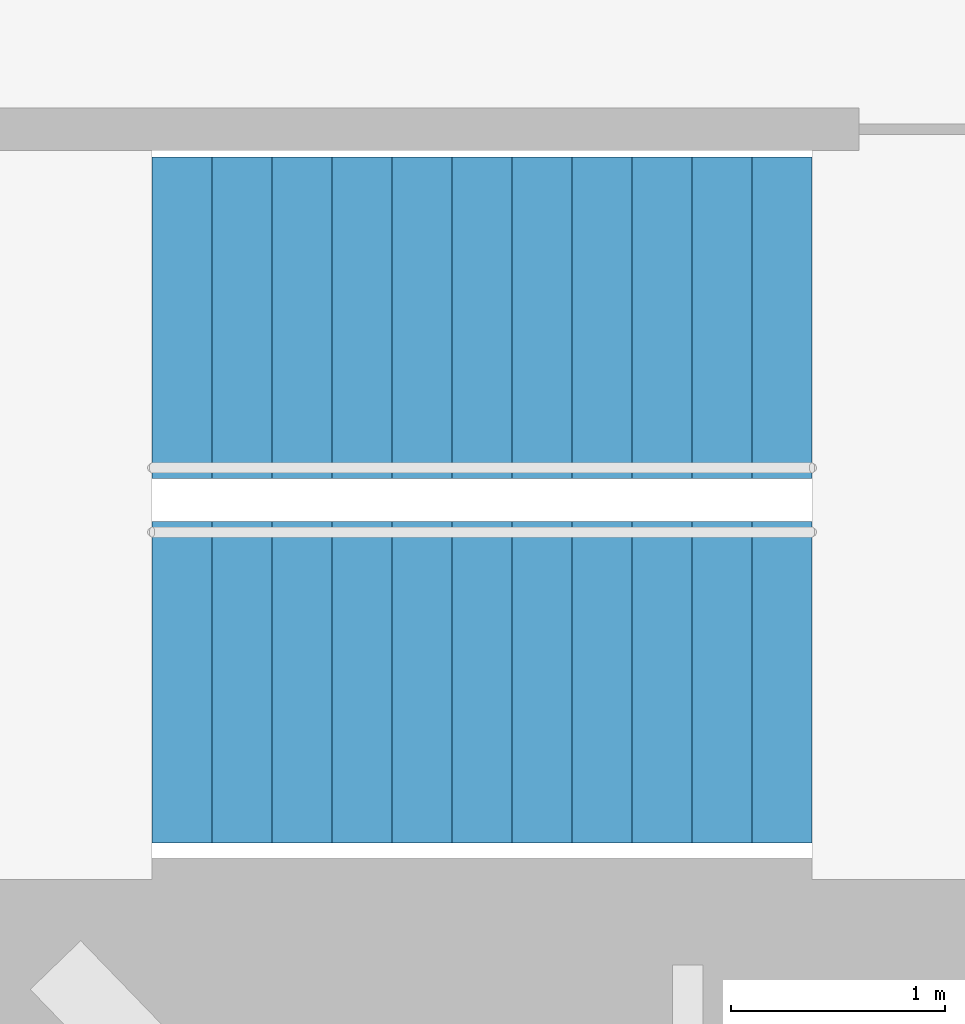
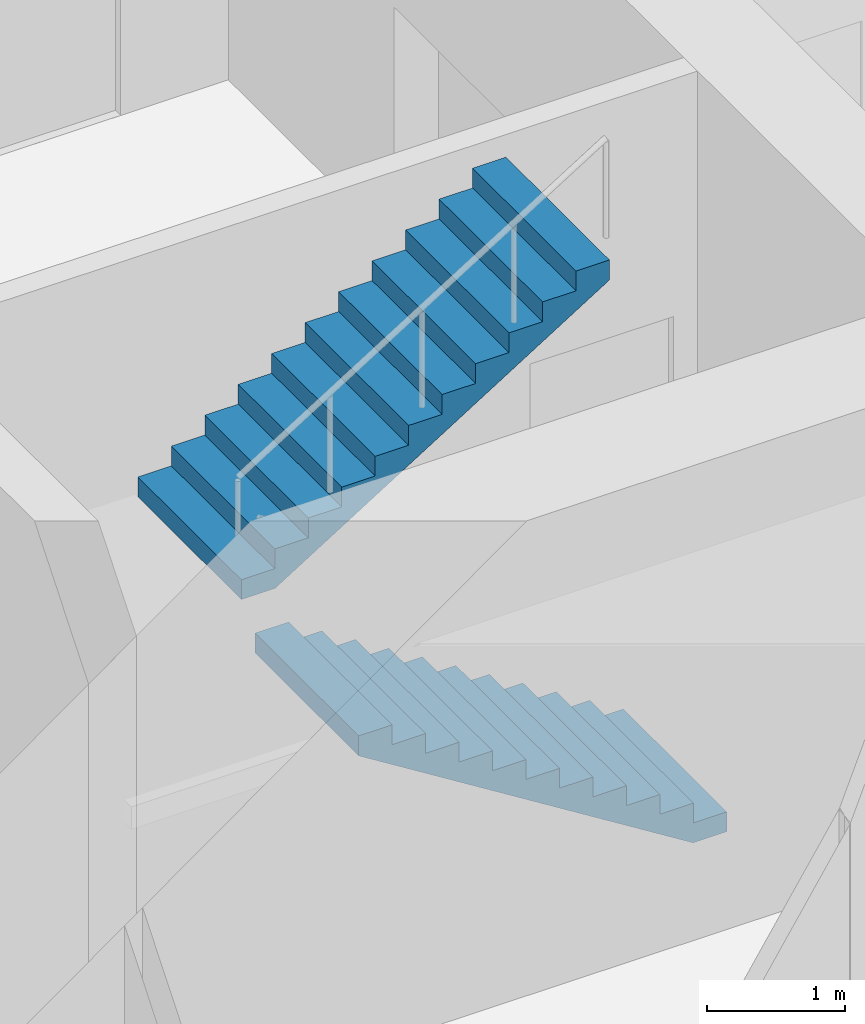
# One storey, part 17 of 18: 2 stair flights, 1 element without a shape of its own.
"""IFC4 building model written with IfcOpenShell, lengths in metres."""

from ifc_helpers import new_model, si_unit, direction, frame, origin, place, context, subcontext, project, spatial, triangles, material, type_object, element, aggregate, save


model = new_model("IFC4")

# Units and contexts
model_context = context("Model", 3, precision=1e-05, world=origin(), true_north=direction((0.0, 1.0)))
body_context = subcontext(model_context, "Body", "Model", "MODEL_VIEW")
ifc_project = project(units=[si_unit("LENGTHUNIT", "METRE"), si_unit("AREAUNIT", "SQUARE_METRE"), si_unit("VOLUMEUNIT", "CUBIC_METRE"), si_unit("PLANEANGLEUNIT", "RADIAN"), si_unit("MASSUNIT", "GRAM", prefix="KILO")], contexts=[model_context])

# Site, building, storey
site_placement = place(None, origin())
site = spatial("IfcSite", under=ifc_project, at=site_placement, CompositionType="ELEMENT")
building_placement = place(site_placement, origin())
building = spatial("IfcBuilding", under=site, at=building_placement, Name="Lantaw Convention Tower", CompositionType="ELEMENT")
storey_placement = place(building_placement, frame((0.0, 0.0, 228.39990234375)))
storey = spatial("IfcBuildingStorey", under=building, at=storey_placement, Name="L53", CompositionType="ELEMENT", Elevation=228.39990234375)

# Stair, stair flights
ifc_material = material(Name="Concrete C35/45", Category="concrete")
stair_type = type_object("IfcStairType", Name="Exit stair 1500 riser 175 in 2 flights", PredefinedType="HALF_TURN_STAIR", material=ifc_material)
stair_placement = place(storey_placement, origin())
stair = element("IfcStair", 1, at=stair_placement, inside=storey, type_object=stair_type, Name="Exit stair S2 L53", PredefinedType="HALF_TURN_STAIR")
stair_flight_type = type_object("IfcStairFlightType", Name="Stair flight 1500 riser 175", PredefinedType="STRAIGHT", material=ifc_material)
stair_flight_1_placement = place(storey_placement, frame((10.580078125, -5.97998046875, 0.0), z_axis=(0.0, 0.0, 1.0), x_axis=(-1.0, 0.0, 0.0)))
stair_flight_1 = element("IfcStairFlight", 2, at=stair_flight_1_placement, type_object=stair_flight_type, Name="S2 flight 1", NumberOfRisers=12, NumberOfTreads=11, PredefinedType="STRAIGHT", RiserHeight=0.175, TreadLength=0.28, context=body_context, shape_type="Tessellation", body=[
    triangles([(0.0, 0.75, 0.0), (0.0, 0.75, 0.175), (0.28, 0.75, 0.0), (0.28, 0.75, 0.175), (0.28, 0.75, 0.35), (0.28283517651771284, 0.75, 0.0), (0.28283517651771284, 0.75, 0.35), (0.56, 0.75, 0.17322801467642948), (0.56, 0.75, 0.35), (0.56, 0.75, 0.5249999999999999), (0.8400000000000001, 0.75, 0.34822801467642944), (0.8400000000000001, 0.75, 0.5249999999999999), (0.8400000000000001, 0.75, 0.7), (1.12, 0.75, 0.5232280146764294), (1.12, 0.75, 0.7), (1.12, 0.75, 0.875), (1.4000000000000001, 0.75, 0.6982280146764295), (1.4000000000000001, 0.75, 0.875), (1.4000000000000001, 0.75, 1.0499999999999998), (1.6800000000000002, 0.75, 0.8732280146764294), (1.6800000000000002, 0.75, 1.0499999999999998), (1.6800000000000002, 0.75, 1.2249999999999999), (1.9600000000000002, 0.75, 1.0482280146764293), (1.9600000000000002, 0.75, 1.2249999999999999), (1.9600000000000002, 0.75, 1.4), (2.24, 0.75, 1.2232280146764294), (2.24, 0.75, 1.4), (2.24, 0.75, 1.575), (2.5200000000000005, 0.75, 1.3982280146764294), (2.5200000000000005, 0.75, 1.575), (2.5200000000000005, 0.75, 1.75), (2.8000000000000003, 0.75, 1.5732280146764293), (2.8000000000000003, 0.75, 1.75), (2.8000000000000003, 0.75, 1.9249999999999998), (3.08, 0.75, 1.7482280146764293), (3.08, 0.75, 1.9249999999999998), (0.0, -0.75, 0.0), (0.0, -0.75, 0.175), (0.28, -0.75, 0.0), (0.28, -0.75, 0.175), (0.28, -0.75, 0.35), (0.28283517651771284, -0.75, 0.0), (0.28283517651771284, -0.75, 0.35), (0.56, -0.75, 0.17322801467642948), (0.56, -0.75, 0.35), (0.56, -0.75, 0.5249999999999999), (0.8400000000000001, -0.75, 0.34822801467642944), (0.8400000000000001, -0.75, 0.5249999999999999), (0.8400000000000001, -0.75, 0.7), (1.12, -0.75, 0.5232280146764294), (1.12, -0.75, 0.7), (1.12, -0.75, 0.875), (1.4000000000000001, -0.75, 0.6982280146764295), (1.4000000000000001, -0.75, 0.875), (1.4000000000000001, -0.75, 1.0499999999999998), (1.6800000000000002, -0.75, 0.8732280146764294), (1.6800000000000002, -0.75, 1.0499999999999998), (1.6800000000000002, -0.75, 1.2249999999999999), (1.9600000000000002, -0.75, 1.0482280146764293), (1.9600000000000002, -0.75, 1.2249999999999999), (1.9600000000000002, -0.75, 1.4), (2.24, -0.75, 1.2232280146764294), (2.24, -0.75, 1.4), (2.24, -0.75, 1.575), (2.5200000000000005, -0.75, 1.3982280146764294), (2.5200000000000005, -0.75, 1.575), (2.5200000000000005, -0.75, 1.75), (2.8000000000000003, -0.75, 1.5732280146764293), (2.8000000000000003, -0.75, 1.75), (2.8000000000000003, -0.75, 1.9249999999999998), (3.08, -0.75, 1.7482280146764293), (3.08, -0.75, 1.9249999999999998), (0.0, 0.15000000000000002, 0.175), (0.0, 0.15000000000000002, 0.0), (0.0, 0.0, 0.175), (0.0, 0.0, 0.0), (0.0, -0.15000000000000002, 0.175), (0.0, -0.15000000000000002, 0.0), (0.28, 0.15000000000000002, 0.35), (0.28, 0.15000000000000002, 0.175), (0.28, 0.0, 0.35), (0.28, 0.0, 0.175), (0.28, -0.15000000000000002, 0.35), (0.28, -0.15000000000000002, 0.175), (0.56, 0.15000000000000002, 0.5249999999999999), (0.56, 0.15000000000000002, 0.35), (0.56, 0.0, 0.5249999999999999), (0.56, 0.0, 0.35), (0.56, -0.15000000000000002, 0.5249999999999999), (0.56, -0.15000000000000002, 0.35), (0.8400000000000001, 0.15000000000000002, 0.7), (0.8400000000000001, 0.15000000000000002, 0.5249999999999999), (0.8400000000000001, 0.0, 0.7), (0.8400000000000001, 0.0, 0.5249999999999999), (0.8400000000000001, -0.15000000000000002, 0.7), (0.8400000000000001, -0.15000000000000002, 0.5249999999999999), (1.12, 0.15000000000000002, 0.875), (1.12, 0.15000000000000002, 0.7), (1.12, 0.0, 0.875), (1.12, 0.0, 0.7), (1.12, -0.15000000000000002, 0.875), (1.12, -0.15000000000000002, 0.7), (1.4000000000000001, 0.15000000000000002, 1.0499999999999998), (1.4000000000000001, 0.15000000000000002, 0.875), (1.4000000000000001, 0.0, 1.0499999999999998), (1.4000000000000001, 0.0, 0.875), (1.4000000000000001, -0.15000000000000002, 1.0499999999999998), (1.4000000000000001, -0.15000000000000002, 0.875), (1.6800000000000002, 0.15000000000000002, 1.2249999999999999), (1.6800000000000002, 0.15000000000000002, 1.0499999999999998), (1.6800000000000002, 0.0, 1.2249999999999999), (1.6800000000000002, 0.0, 1.0499999999999998), (1.6800000000000002, -0.15000000000000002, 1.2249999999999999), (1.6800000000000002, -0.15000000000000002, 1.0499999999999998), (1.9600000000000002, 0.15000000000000002, 1.4), (1.9600000000000002, 0.15000000000000002, 1.2249999999999999), (1.9600000000000002, 0.0, 1.4), (1.9600000000000002, 0.0, 1.2249999999999999), (1.9600000000000002, -0.15000000000000002, 1.4), (1.9600000000000002, -0.15000000000000002, 1.2249999999999999), (2.24, 0.15000000000000002, 1.575), (2.24, 0.15000000000000002, 1.4), (2.24, 0.0, 1.575), (2.24, 0.0, 1.4), (2.24, -0.15000000000000002, 1.575), (2.24, -0.15000000000000002, 1.4), (2.5200000000000005, 0.15000000000000002, 1.75), (2.5200000000000005, 0.15000000000000002, 1.575), (2.5200000000000005, 0.0, 1.75), (2.5200000000000005, 0.0, 1.575), (2.5200000000000005, -0.15000000000000002, 1.75), (2.5200000000000005, -0.15000000000000002, 1.575), (2.8000000000000003, 0.15000000000000002, 1.9249999999999998), (2.8000000000000003, 0.15000000000000002, 1.75), (2.8000000000000003, 0.0, 1.9249999999999998), (2.8000000000000003, 0.0, 1.75), (2.8000000000000003, -0.15000000000000002, 1.9249999999999998), (2.8000000000000003, -0.15000000000000002, 1.75), (0.28283517651771284, 0.15000000000000002, 0.35), (0.28283517651771284, 0.0, 0.35), (0.28283517651771284, -0.15000000000000002, 0.35), (3.08, 0.15000000000000002, 1.9249999999999998), (3.08, 0.0, 1.9249999999999998), (3.08, -0.15000000000000002, 1.9249999999999998), (3.08, 0.15000000000000002, 1.7482280146764293), (3.08, 0.0, 1.7482280146764293), (3.08, -0.15000000000000002, 1.7482280146764293), (2.8000000000000003, 0.15000000000000002, 1.5732280146764293), (2.8000000000000003, 0.0, 1.5732280146764293), (2.8000000000000003, -0.15000000000000002, 1.5732280146764293), (2.5200000000000005, 0.15000000000000002, 1.3982280146764294), (2.5200000000000005, 0.0, 1.3982280146764294), (2.5200000000000005, -0.15000000000000002, 1.3982280146764294), (2.24, 0.15000000000000002, 1.2232280146764294), (2.24, 0.0, 1.2232280146764294), (2.24, -0.15000000000000002, 1.2232280146764294), (1.9600000000000002, 0.15000000000000002, 1.0482280146764293), (1.9600000000000002, 0.0, 1.0482280146764293), (1.9600000000000002, -0.15000000000000002, 1.0482280146764293), (1.6800000000000002, 0.15000000000000002, 0.8732280146764294), (1.6800000000000002, 0.0, 0.8732280146764294), (1.6800000000000002, -0.15000000000000002, 0.8732280146764294), (1.4000000000000001, 0.15000000000000002, 0.6982280146764295), (1.4000000000000001, 0.0, 0.6982280146764295), (1.4000000000000001, -0.15000000000000002, 0.6982280146764295), (1.12, 0.15000000000000002, 0.5232280146764294), (1.12, 0.0, 0.5232280146764294), (1.12, -0.15000000000000002, 0.5232280146764294), (0.8400000000000001, 0.15000000000000002, 0.34822801467642944), (0.8400000000000001, 0.0, 0.34822801467642944), (0.8400000000000001, -0.15000000000000002, 0.34822801467642944), (0.56, 0.15000000000000002, 0.17322801467642948), (0.56, 0.0, 0.17322801467642948), (0.56, -0.15000000000000002, 0.17322801467642948), (0.28283517651771284, 0.15000000000000002, 0.0), (0.28283517651771284, 0.0, 0.0), (0.28283517651771284, -0.15000000000000002, 0.0), (0.28, 0.15000000000000002, 0.0), (0.28, 0.0, 0.0), (0.28, -0.15000000000000002, 0.0)], [[1, 4, 3], [1, 2, 4], [3, 4, 6], [4, 7, 6], [4, 5, 7], [6, 9, 8], [6, 7, 9], [8, 9, 11], [9, 12, 11], [9, 10, 12], [11, 12, 14], [12, 15, 14], [12, 13, 15], [14, 15, 17], [15, 18, 17], [15, 16, 18], [17, 18, 20], [18, 21, 20], [18, 19, 21], [20, 21, 23], [21, 24, 23], [21, 22, 24], [23, 24, 26], [24, 27, 26], [24, 25, 27], [26, 27, 29], [27, 30, 29], [27, 28, 30], [29, 30, 32], [30, 33, 32], [30, 31, 33], [32, 33, 35], [33, 36, 35], [33, 34, 36], [37, 39, 40], [37, 40, 38], [39, 42, 40], [40, 42, 43], [40, 43, 41], [42, 44, 45], [42, 45, 43], [44, 47, 45], [45, 47, 48], [45, 48, 46], [47, 50, 48], [48, 50, 51], [48, 51, 49], [50, 53, 51], [51, 53, 54], [51, 54, 52], [53, 56, 54], [54, 56, 57], [54, 57, 55], [56, 59, 57], [57, 59, 60], [57, 60, 58], [59, 62, 60], [60, 62, 63], [60, 63, 61], [62, 65, 63], [63, 65, 66], [63, 66, 64], [65, 68, 66], [66, 68, 69], [66, 69, 67], [68, 71, 69], [69, 71, 72], [69, 72, 70], [1, 73, 2], [1, 74, 73], [74, 75, 73], [74, 76, 75], [76, 77, 75], [76, 78, 77], [78, 38, 77], [78, 37, 38], [4, 79, 5], [4, 80, 79], [80, 81, 79], [80, 82, 81], [82, 83, 81], [82, 84, 83], [84, 41, 83], [84, 40, 41], [9, 85, 10], [9, 86, 85], [86, 87, 85], [86, 88, 87], [88, 89, 87], [88, 90, 89], [90, 46, 89], [90, 45, 46], [12, 91, 13], [12, 92, 91], [92, 93, 91], [92, 94, 93], [94, 95, 93], [94, 96, 95], [96, 49, 95], [96, 48, 49], [15, 97, 16], [15, 98, 97], [98, 99, 97], [98, 100, 99], [100, 101, 99], [100, 102, 101], [102, 52, 101], [102, 51, 52], [18, 103, 19], [18, 104, 103], [104, 105, 103], [104, 106, 105], [106, 107, 105], [106, 108, 107], [108, 55, 107], [108, 54, 55], [21, 109, 22], [21, 110, 109], [110, 111, 109], [110, 112, 111], [112, 113, 111], [112, 114, 113], [114, 58, 113], [114, 57, 58], [24, 115, 25], [24, 116, 115], [116, 117, 115], [116, 118, 117], [118, 119, 117], [118, 120, 119], [120, 61, 119], [120, 60, 61], [27, 121, 28], [27, 122, 121], [122, 123, 121], [122, 124, 123], [124, 125, 123], [124, 126, 125], [126, 64, 125], [126, 63, 64], [30, 127, 31], [30, 128, 127], [128, 129, 127], [128, 130, 129], [130, 131, 129], [130, 132, 131], [132, 67, 131], [132, 66, 67], [33, 133, 34], [33, 134, 133], [134, 135, 133], [134, 136, 135], [136, 137, 135], [136, 138, 137], [138, 70, 137], [138, 69, 70], [2, 80, 4], [2, 73, 80], [73, 82, 80], [73, 75, 82], [75, 84, 82], [75, 77, 84], [77, 40, 84], [77, 38, 40], [5, 139, 7], [5, 79, 139], [79, 140, 139], [79, 81, 140], [81, 141, 140], [81, 83, 141], [83, 43, 141], [83, 41, 43], [7, 86, 9], [7, 139, 86], [139, 88, 86], [139, 140, 88], [140, 90, 88], [140, 141, 90], [141, 45, 90], [141, 43, 45], [10, 92, 12], [10, 85, 92], [85, 94, 92], [85, 87, 94], [87, 96, 94], [87, 89, 96], [89, 48, 96], [89, 46, 48], [13, 98, 15], [13, 91, 98], [91, 100, 98], [91, 93, 100], [93, 102, 100], [93, 95, 102], [95, 51, 102], [95, 49, 51], [16, 104, 18], [16, 97, 104], [97, 106, 104], [97, 99, 106], [99, 108, 106], [99, 101, 108], [101, 54, 108], [101, 52, 54], [19, 110, 21], [19, 103, 110], [103, 112, 110], [103, 105, 112], [105, 114, 112], [105, 107, 114], [107, 57, 114], [107, 55, 57], [22, 116, 24], [22, 109, 116], [109, 118, 116], [109, 111, 118], [111, 120, 118], [111, 113, 120], [113, 60, 120], [113, 58, 60], [25, 122, 27], [25, 115, 122], [115, 124, 122], [115, 117, 124], [117, 126, 124], [117, 119, 126], [119, 63, 126], [119, 61, 63], [28, 128, 30], [28, 121, 128], [121, 130, 128], [121, 123, 130], [123, 132, 130], [123, 125, 132], [125, 66, 132], [125, 64, 66], [31, 134, 33], [31, 127, 134], [127, 136, 134], [127, 129, 136], [129, 138, 136], [129, 131, 138], [131, 69, 138], [131, 67, 69], [34, 142, 36], [34, 133, 142], [133, 143, 142], [133, 135, 143], [135, 144, 143], [135, 137, 144], [137, 72, 144], [137, 70, 72], [36, 145, 35], [36, 142, 145], [142, 146, 145], [142, 143, 146], [143, 147, 146], [143, 144, 147], [144, 71, 147], [144, 72, 71], [35, 148, 32], [35, 145, 148], [145, 149, 148], [145, 146, 149], [146, 150, 149], [146, 147, 150], [147, 68, 150], [147, 71, 68], [32, 151, 29], [32, 148, 151], [148, 152, 151], [148, 149, 152], [149, 153, 152], [149, 150, 153], [150, 65, 153], [150, 68, 65], [29, 154, 26], [29, 151, 154], [151, 155, 154], [151, 152, 155], [152, 156, 155], [152, 153, 156], [153, 62, 156], [153, 65, 62], [26, 157, 23], [26, 154, 157], [154, 158, 157], [154, 155, 158], [155, 159, 158], [155, 156, 159], [156, 59, 159], [156, 62, 59], [23, 160, 20], [23, 157, 160], [157, 161, 160], [157, 158, 161], [158, 162, 161], [158, 159, 162], [159, 56, 162], [159, 59, 56], [20, 163, 17], [20, 160, 163], [160, 164, 163], [160, 161, 164], [161, 165, 164], [161, 162, 165], [162, 53, 165], [162, 56, 53], [17, 166, 14], [17, 163, 166], [163, 167, 166], [163, 164, 167], [164, 168, 167], [164, 165, 168], [165, 50, 168], [165, 53, 50], [14, 169, 11], [14, 166, 169], [166, 170, 169], [166, 167, 170], [167, 171, 170], [167, 168, 171], [168, 47, 171], [168, 50, 47], [11, 172, 8], [11, 169, 172], [169, 173, 172], [169, 170, 173], [170, 174, 173], [170, 171, 174], [171, 44, 174], [171, 47, 44], [8, 175, 6], [8, 172, 175], [172, 176, 175], [172, 173, 176], [173, 177, 176], [173, 174, 177], [174, 42, 177], [174, 44, 42], [6, 178, 3], [6, 175, 178], [175, 179, 178], [175, 176, 179], [176, 180, 179], [176, 177, 180], [177, 39, 180], [177, 42, 39], [3, 74, 1], [3, 178, 74], [178, 76, 74], [178, 179, 76], [179, 78, 76], [179, 180, 78], [180, 37, 78], [180, 39, 37]], closed=True),
])
stair_flight_2_placement = place(storey_placement, frame((7.5, -4.280029296875, 2.10009765625), z_axis=(0.0, 0.0, 1.0), x_axis=(1.0, 0.0, 0.0)))
stair_flight_2 = element("IfcStairFlight", 3, at=stair_flight_2_placement, type_object=stair_flight_type, Name="S2 flight 2", NumberOfRisers=12, NumberOfTreads=11, PredefinedType="STRAIGHT", RiserHeight=0.175, TreadLength=0.28, context=body_context, shape_type="Tessellation", body=[
    triangles([(0.0, 0.75, 0.0), (0.0, 0.75, 0.175), (0.28, 0.75, 0.0), (0.28, 0.75, 0.175), (0.28, 0.75, 0.35), (0.28283517651771284, 0.75, 0.0), (0.28283517651771284, 0.75, 0.35), (0.56, 0.75, 0.17322801467642948), (0.56, 0.75, 0.35), (0.56, 0.75, 0.5249999999999999), (0.8400000000000001, 0.75, 0.34822801467642944), (0.8400000000000001, 0.75, 0.5249999999999999), (0.8400000000000001, 0.75, 0.7), (1.12, 0.75, 0.5232280146764294), (1.12, 0.75, 0.7), (1.12, 0.75, 0.875), (1.4000000000000001, 0.75, 0.6982280146764295), (1.4000000000000001, 0.75, 0.875), (1.4000000000000001, 0.75, 1.0499999999999998), (1.6800000000000002, 0.75, 0.8732280146764294), (1.6800000000000002, 0.75, 1.0499999999999998), (1.6800000000000002, 0.75, 1.2249999999999999), (1.9600000000000002, 0.75, 1.0482280146764293), (1.9600000000000002, 0.75, 1.2249999999999999), (1.9600000000000002, 0.75, 1.4), (2.24, 0.75, 1.2232280146764294), (2.24, 0.75, 1.4), (2.24, 0.75, 1.575), (2.5200000000000005, 0.75, 1.3982280146764294), (2.5200000000000005, 0.75, 1.575), (2.5200000000000005, 0.75, 1.75), (2.8000000000000003, 0.75, 1.5732280146764293), (2.8000000000000003, 0.75, 1.75), (2.8000000000000003, 0.75, 1.9249999999999998), (3.08, 0.75, 1.7482280146764293), (3.08, 0.75, 1.9249999999999998), (0.0, -0.75, 0.0), (0.0, -0.75, 0.175), (0.28, -0.75, 0.0), (0.28, -0.75, 0.175), (0.28, -0.75, 0.35), (0.28283517651771284, -0.75, 0.0), (0.28283517651771284, -0.75, 0.35), (0.56, -0.75, 0.17322801467642948), (0.56, -0.75, 0.35), (0.56, -0.75, 0.5249999999999999), (0.8400000000000001, -0.75, 0.34822801467642944), (0.8400000000000001, -0.75, 0.5249999999999999), (0.8400000000000001, -0.75, 0.7), (1.12, -0.75, 0.5232280146764294), (1.12, -0.75, 0.7), (1.12, -0.75, 0.875), (1.4000000000000001, -0.75, 0.6982280146764295), (1.4000000000000001, -0.75, 0.875), (1.4000000000000001, -0.75, 1.0499999999999998), (1.6800000000000002, -0.75, 0.8732280146764294), (1.6800000000000002, -0.75, 1.0499999999999998), (1.6800000000000002, -0.75, 1.2249999999999999), (1.9600000000000002, -0.75, 1.0482280146764293), (1.9600000000000002, -0.75, 1.2249999999999999), (1.9600000000000002, -0.75, 1.4), (2.24, -0.75, 1.2232280146764294), (2.24, -0.75, 1.4), (2.24, -0.75, 1.575), (2.5200000000000005, -0.75, 1.3982280146764294), (2.5200000000000005, -0.75, 1.575), (2.5200000000000005, -0.75, 1.75), (2.8000000000000003, -0.75, 1.5732280146764293), (2.8000000000000003, -0.75, 1.75), (2.8000000000000003, -0.75, 1.9249999999999998), (3.08, -0.75, 1.7482280146764293), (3.08, -0.75, 1.9249999999999998), (0.0, 0.15000000000000002, 0.175), (0.0, 0.15000000000000002, 0.0), (0.0, 0.0, 0.175), (0.0, 0.0, 0.0), (0.0, -0.15000000000000002, 0.175), (0.0, -0.15000000000000002, 0.0), (0.28, 0.15000000000000002, 0.35), (0.28, 0.15000000000000002, 0.175), (0.28, 0.0, 0.35), (0.28, 0.0, 0.175), (0.28, -0.15000000000000002, 0.35), (0.28, -0.15000000000000002, 0.175), (0.56, 0.15000000000000002, 0.5249999999999999), (0.56, 0.15000000000000002, 0.35), (0.56, 0.0, 0.5249999999999999), (0.56, 0.0, 0.35), (0.56, -0.15000000000000002, 0.5249999999999999), (0.56, -0.15000000000000002, 0.35), (0.8400000000000001, 0.15000000000000002, 0.7), (0.8400000000000001, 0.15000000000000002, 0.5249999999999999), (0.8400000000000001, 0.0, 0.7), (0.8400000000000001, 0.0, 0.5249999999999999), (0.8400000000000001, -0.15000000000000002, 0.7), (0.8400000000000001, -0.15000000000000002, 0.5249999999999999), (1.12, 0.15000000000000002, 0.875), (1.12, 0.15000000000000002, 0.7), (1.12, 0.0, 0.875), (1.12, 0.0, 0.7), (1.12, -0.15000000000000002, 0.875), (1.12, -0.15000000000000002, 0.7), (1.4000000000000001, 0.15000000000000002, 1.0499999999999998), (1.4000000000000001, 0.15000000000000002, 0.875), (1.4000000000000001, 0.0, 1.0499999999999998), (1.4000000000000001, 0.0, 0.875), (1.4000000000000001, -0.15000000000000002, 1.0499999999999998), (1.4000000000000001, -0.15000000000000002, 0.875), (1.6800000000000002, 0.15000000000000002, 1.2249999999999999), (1.6800000000000002, 0.15000000000000002, 1.0499999999999998), (1.6800000000000002, 0.0, 1.2249999999999999), (1.6800000000000002, 0.0, 1.0499999999999998), (1.6800000000000002, -0.15000000000000002, 1.2249999999999999), (1.6800000000000002, -0.15000000000000002, 1.0499999999999998), (1.9600000000000002, 0.15000000000000002, 1.4), (1.9600000000000002, 0.15000000000000002, 1.2249999999999999), (1.9600000000000002, 0.0, 1.4), (1.9600000000000002, 0.0, 1.2249999999999999), (1.9600000000000002, -0.15000000000000002, 1.4), (1.9600000000000002, -0.15000000000000002, 1.2249999999999999), (2.24, 0.15000000000000002, 1.575), (2.24, 0.15000000000000002, 1.4), (2.24, 0.0, 1.575), (2.24, 0.0, 1.4), (2.24, -0.15000000000000002, 1.575), (2.24, -0.15000000000000002, 1.4), (2.5200000000000005, 0.15000000000000002, 1.75), (2.5200000000000005, 0.15000000000000002, 1.575), (2.5200000000000005, 0.0, 1.75), (2.5200000000000005, 0.0, 1.575), (2.5200000000000005, -0.15000000000000002, 1.75), (2.5200000000000005, -0.15000000000000002, 1.575), (2.8000000000000003, 0.15000000000000002, 1.9249999999999998), (2.8000000000000003, 0.15000000000000002, 1.75), (2.8000000000000003, 0.0, 1.9249999999999998), (2.8000000000000003, 0.0, 1.75), (2.8000000000000003, -0.15000000000000002, 1.9249999999999998), (2.8000000000000003, -0.15000000000000002, 1.75), (0.28283517651771284, 0.15000000000000002, 0.35), (0.28283517651771284, 0.0, 0.35), (0.28283517651771284, -0.15000000000000002, 0.35), (3.08, 0.15000000000000002, 1.9249999999999998), (3.08, 0.0, 1.9249999999999998), (3.08, -0.15000000000000002, 1.9249999999999998), (3.08, 0.15000000000000002, 1.7482280146764293), (3.08, 0.0, 1.7482280146764293), (3.08, -0.15000000000000002, 1.7482280146764293), (2.8000000000000003, 0.15000000000000002, 1.5732280146764293), (2.8000000000000003, 0.0, 1.5732280146764293), (2.8000000000000003, -0.15000000000000002, 1.5732280146764293), (2.5200000000000005, 0.15000000000000002, 1.3982280146764294), (2.5200000000000005, 0.0, 1.3982280146764294), (2.5200000000000005, -0.15000000000000002, 1.3982280146764294), (2.24, 0.15000000000000002, 1.2232280146764294), (2.24, 0.0, 1.2232280146764294), (2.24, -0.15000000000000002, 1.2232280146764294), (1.9600000000000002, 0.15000000000000002, 1.0482280146764293), (1.9600000000000002, 0.0, 1.0482280146764293), (1.9600000000000002, -0.15000000000000002, 1.0482280146764293), (1.6800000000000002, 0.15000000000000002, 0.8732280146764294), (1.6800000000000002, 0.0, 0.8732280146764294), (1.6800000000000002, -0.15000000000000002, 0.8732280146764294), (1.4000000000000001, 0.15000000000000002, 0.6982280146764295), (1.4000000000000001, 0.0, 0.6982280146764295), (1.4000000000000001, -0.15000000000000002, 0.6982280146764295), (1.12, 0.15000000000000002, 0.5232280146764294), (1.12, 0.0, 0.5232280146764294), (1.12, -0.15000000000000002, 0.5232280146764294), (0.8400000000000001, 0.15000000000000002, 0.34822801467642944), (0.8400000000000001, 0.0, 0.34822801467642944), (0.8400000000000001, -0.15000000000000002, 0.34822801467642944), (0.56, 0.15000000000000002, 0.17322801467642948), (0.56, 0.0, 0.17322801467642948), (0.56, -0.15000000000000002, 0.17322801467642948), (0.28283517651771284, 0.15000000000000002, 0.0), (0.28283517651771284, 0.0, 0.0), (0.28283517651771284, -0.15000000000000002, 0.0), (0.28, 0.15000000000000002, 0.0), (0.28, 0.0, 0.0), (0.28, -0.15000000000000002, 0.0)], [[1, 4, 3], [1, 2, 4], [3, 4, 6], [4, 7, 6], [4, 5, 7], [6, 9, 8], [6, 7, 9], [8, 9, 11], [9, 12, 11], [9, 10, 12], [11, 12, 14], [12, 15, 14], [12, 13, 15], [14, 15, 17], [15, 18, 17], [15, 16, 18], [17, 18, 20], [18, 21, 20], [18, 19, 21], [20, 21, 23], [21, 24, 23], [21, 22, 24], [23, 24, 26], [24, 27, 26], [24, 25, 27], [26, 27, 29], [27, 30, 29], [27, 28, 30], [29, 30, 32], [30, 33, 32], [30, 31, 33], [32, 33, 35], [33, 36, 35], [33, 34, 36], [37, 39, 40], [37, 40, 38], [39, 42, 40], [40, 42, 43], [40, 43, 41], [42, 44, 45], [42, 45, 43], [44, 47, 45], [45, 47, 48], [45, 48, 46], [47, 50, 48], [48, 50, 51], [48, 51, 49], [50, 53, 51], [51, 53, 54], [51, 54, 52], [53, 56, 54], [54, 56, 57], [54, 57, 55], [56, 59, 57], [57, 59, 60], [57, 60, 58], [59, 62, 60], [60, 62, 63], [60, 63, 61], [62, 65, 63], [63, 65, 66], [63, 66, 64], [65, 68, 66], [66, 68, 69], [66, 69, 67], [68, 71, 69], [69, 71, 72], [69, 72, 70], [1, 73, 2], [1, 74, 73], [74, 75, 73], [74, 76, 75], [76, 77, 75], [76, 78, 77], [78, 38, 77], [78, 37, 38], [4, 79, 5], [4, 80, 79], [80, 81, 79], [80, 82, 81], [82, 83, 81], [82, 84, 83], [84, 41, 83], [84, 40, 41], [9, 85, 10], [9, 86, 85], [86, 87, 85], [86, 88, 87], [88, 89, 87], [88, 90, 89], [90, 46, 89], [90, 45, 46], [12, 91, 13], [12, 92, 91], [92, 93, 91], [92, 94, 93], [94, 95, 93], [94, 96, 95], [96, 49, 95], [96, 48, 49], [15, 97, 16], [15, 98, 97], [98, 99, 97], [98, 100, 99], [100, 101, 99], [100, 102, 101], [102, 52, 101], [102, 51, 52], [18, 103, 19], [18, 104, 103], [104, 105, 103], [104, 106, 105], [106, 107, 105], [106, 108, 107], [108, 55, 107], [108, 54, 55], [21, 109, 22], [21, 110, 109], [110, 111, 109], [110, 112, 111], [112, 113, 111], [112, 114, 113], [114, 58, 113], [114, 57, 58], [24, 115, 25], [24, 116, 115], [116, 117, 115], [116, 118, 117], [118, 119, 117], [118, 120, 119], [120, 61, 119], [120, 60, 61], [27, 121, 28], [27, 122, 121], [122, 123, 121], [122, 124, 123], [124, 125, 123], [124, 126, 125], [126, 64, 125], [126, 63, 64], [30, 127, 31], [30, 128, 127], [128, 129, 127], [128, 130, 129], [130, 131, 129], [130, 132, 131], [132, 67, 131], [132, 66, 67], [33, 133, 34], [33, 134, 133], [134, 135, 133], [134, 136, 135], [136, 137, 135], [136, 138, 137], [138, 70, 137], [138, 69, 70], [2, 80, 4], [2, 73, 80], [73, 82, 80], [73, 75, 82], [75, 84, 82], [75, 77, 84], [77, 40, 84], [77, 38, 40], [5, 139, 7], [5, 79, 139], [79, 140, 139], [79, 81, 140], [81, 141, 140], [81, 83, 141], [83, 43, 141], [83, 41, 43], [7, 86, 9], [7, 139, 86], [139, 88, 86], [139, 140, 88], [140, 90, 88], [140, 141, 90], [141, 45, 90], [141, 43, 45], [10, 92, 12], [10, 85, 92], [85, 94, 92], [85, 87, 94], [87, 96, 94], [87, 89, 96], [89, 48, 96], [89, 46, 48], [13, 98, 15], [13, 91, 98], [91, 100, 98], [91, 93, 100], [93, 102, 100], [93, 95, 102], [95, 51, 102], [95, 49, 51], [16, 104, 18], [16, 97, 104], [97, 106, 104], [97, 99, 106], [99, 108, 106], [99, 101, 108], [101, 54, 108], [101, 52, 54], [19, 110, 21], [19, 103, 110], [103, 112, 110], [103, 105, 112], [105, 114, 112], [105, 107, 114], [107, 57, 114], [107, 55, 57], [22, 116, 24], [22, 109, 116], [109, 118, 116], [109, 111, 118], [111, 120, 118], [111, 113, 120], [113, 60, 120], [113, 58, 60], [25, 122, 27], [25, 115, 122], [115, 124, 122], [115, 117, 124], [117, 126, 124], [117, 119, 126], [119, 63, 126], [119, 61, 63], [28, 128, 30], [28, 121, 128], [121, 130, 128], [121, 123, 130], [123, 132, 130], [123, 125, 132], [125, 66, 132], [125, 64, 66], [31, 134, 33], [31, 127, 134], [127, 136, 134], [127, 129, 136], [129, 138, 136], [129, 131, 138], [131, 69, 138], [131, 67, 69], [34, 142, 36], [34, 133, 142], [133, 143, 142], [133, 135, 143], [135, 144, 143], [135, 137, 144], [137, 72, 144], [137, 70, 72], [36, 145, 35], [36, 142, 145], [142, 146, 145], [142, 143, 146], [143, 147, 146], [143, 144, 147], [144, 71, 147], [144, 72, 71], [35, 148, 32], [35, 145, 148], [145, 149, 148], [145, 146, 149], [146, 150, 149], [146, 147, 150], [147, 68, 150], [147, 71, 68], [32, 151, 29], [32, 148, 151], [148, 152, 151], [148, 149, 152], [149, 153, 152], [149, 150, 153], [150, 65, 153], [150, 68, 65], [29, 154, 26], [29, 151, 154], [151, 155, 154], [151, 152, 155], [152, 156, 155], [152, 153, 156], [153, 62, 156], [153, 65, 62], [26, 157, 23], [26, 154, 157], [154, 158, 157], [154, 155, 158], [155, 159, 158], [155, 156, 159], [156, 59, 159], [156, 62, 59], [23, 160, 20], [23, 157, 160], [157, 161, 160], [157, 158, 161], [158, 162, 161], [158, 159, 162], [159, 56, 162], [159, 59, 56], [20, 163, 17], [20, 160, 163], [160, 164, 163], [160, 161, 164], [161, 165, 164], [161, 162, 165], [162, 53, 165], [162, 56, 53], [17, 166, 14], [17, 163, 166], [163, 167, 166], [163, 164, 167], [164, 168, 167], [164, 165, 168], [165, 50, 168], [165, 53, 50], [14, 169, 11], [14, 166, 169], [166, 170, 169], [166, 167, 170], [167, 171, 170], [167, 168, 171], [168, 47, 171], [168, 50, 47], [11, 172, 8], [11, 169, 172], [169, 173, 172], [169, 170, 173], [170, 174, 173], [170, 171, 174], [171, 44, 174], [171, 47, 44], [8, 175, 6], [8, 172, 175], [172, 176, 175], [172, 173, 176], [173, 177, 176], [173, 174, 177], [174, 42, 177], [174, 44, 42], [6, 178, 3], [6, 175, 178], [175, 179, 178], [175, 176, 179], [176, 180, 179], [176, 177, 180], [177, 39, 180], [177, 42, 39], [3, 74, 1], [3, 178, 74], [178, 76, 74], [178, 179, 76], [179, 78, 76], [179, 180, 78], [180, 37, 78], [180, 39, 37]], closed=True),
])
aggregate(stair, [stair_flight_1, stair_flight_2])

save(model, "model.ifc")
